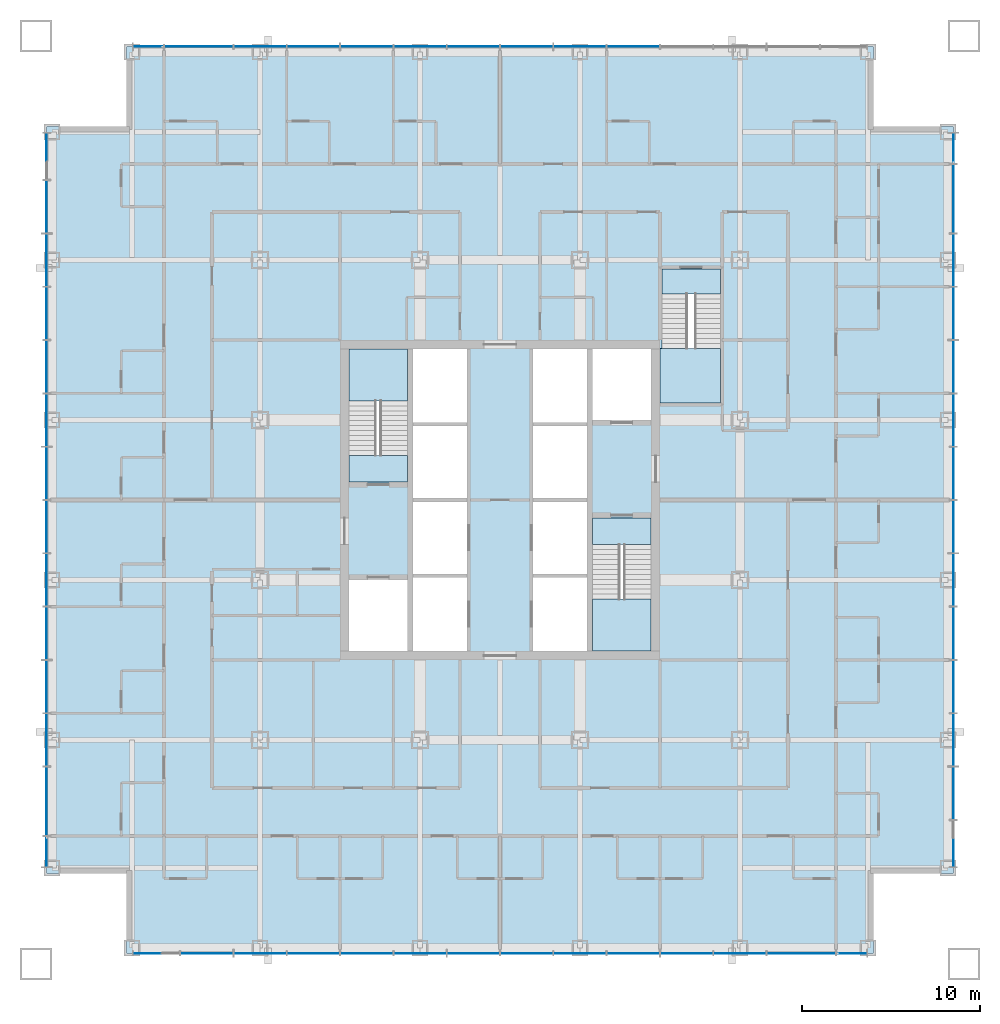
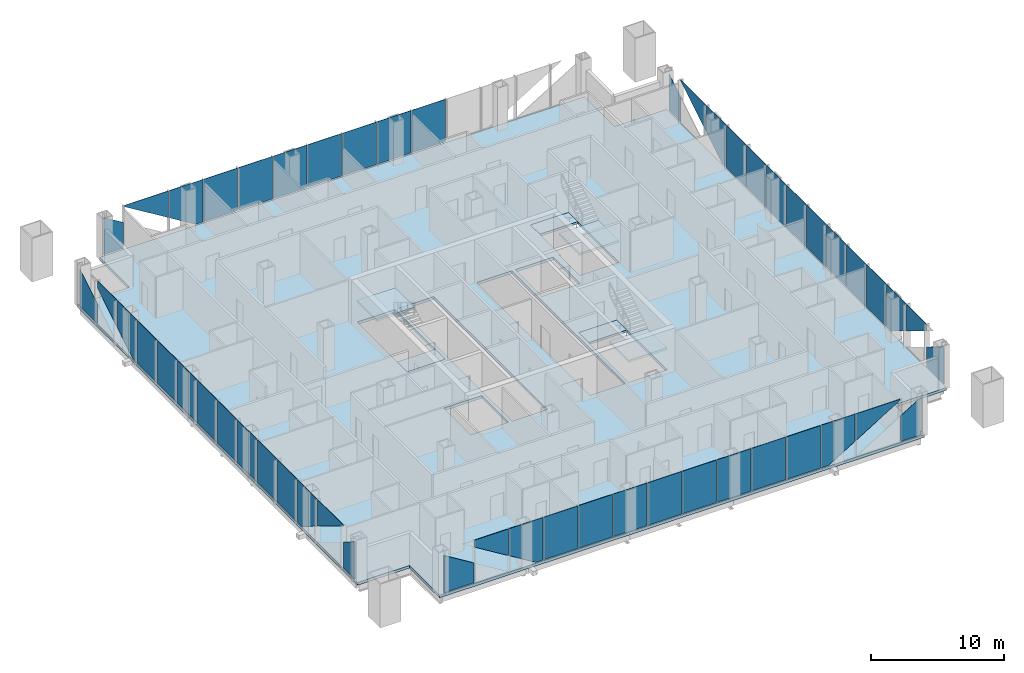
# One storey, part 6 of 17: 52 plates, 7 slabs, 7 elements without a shape of their own.
"""IFC4 building model written with IfcOpenShell, lengths in metres."""

from ifc_helpers import new_model, si_unit, direction, frame, origin, origin_2d, place, context, subcontext, project, spatial, polyline, rectangle, outline, extrude, material, layer, layer_set, type_object, element, aggregate, save


model = new_model("IFC4")

# Units and contexts
model_context = context("Model", 3, precision=1e-05, world=origin(), true_north=direction((0.0, 1.0)))
body_context = subcontext(model_context, "Body", "Model", "MODEL_VIEW")
ifc_project = project(units=[si_unit("LENGTHUNIT", "METRE"), si_unit("AREAUNIT", "SQUARE_METRE"), si_unit("VOLUMEUNIT", "CUBIC_METRE"), si_unit("PLANEANGLEUNIT", "RADIAN"), si_unit("MASSUNIT", "GRAM", prefix="KILO")], contexts=[model_context])

# Site, building, storey
site_placement = place(None, origin())
site = spatial("IfcSite", under=ifc_project, at=site_placement, CompositionType="ELEMENT")
building_placement = place(site_placement, origin())
building = spatial("IfcBuilding", under=site, at=building_placement, Name="Malebo Sky Hospital", CompositionType="ELEMENT")
storey_placement = place(building_placement, frame((0.0, 0.0, 55.0)))
storey = spatial("IfcBuildingStorey", under=building, at=storey_placement, Name="L12", CompositionType="ELEMENT", Elevation=55.0)

# Slab
ifc_material_1 = material(Name="Concrete C40/50", Category="concrete")
ifc_layer_1 = layer(ifc_material_1, 0.25)
ifc_layer_set_1 = layer_set([ifc_layer_1], Name="COMPOSITE FLOOR SLAB 250")
slab_type_1 = type_object("IfcSlabType", Name="COMPOSITE FLOOR SLAB 250", PredefinedType="FLOOR", material=ifc_layer_set_1)
slab_1_placement = place(storey_placement, frame((0.0, 0.0, -0.25)))
element("IfcSlab", 1, at=slab_1_placement, inside=storey, type_object=slab_type_1, Name="Floor slab L12", PredefinedType="FLOOR", context=body_context, shape_type="SweptSolid", body=[
    extrude(outline(polyline([(39.0, 87.5), (39.0, 83.0), (34.5, 83.0), (34.5, 41.0), (39.0, 41.0), (39.0, 36.5), (81.0, 36.5), (81.0, 41.0), (85.5, 41.0), (85.5, 83.0), (81.0, 83.0), (81.0, 87.5), (39.0, 87.5)]), holes=[polyline([(55.10009765625, 70.5), (58.14990234375, 70.5), (58.14990234375, 53.5), (55.10009765625, 53.5), (55.10009765625, 70.5)]), polyline([(64.89990234375, 70.5), (64.89990234375, 53.5), (61.85009765625, 53.5), (61.85009765625, 70.5), (64.89990234375, 70.5)]), polyline([(54.800048828125, 63.0), (51.5, 63.0), (51.5, 70.5), (54.800048828125, 70.5), (54.800048828125, 63.0)]), polyline([(51.5, 53.5), (51.5, 57.5), (54.800048828125, 57.5), (54.800048828125, 53.5), (51.5, 53.5)]), polyline([(65.199951171875, 61.0), (68.5, 61.0), (68.5, 53.5), (65.199951171875, 53.5), (65.199951171875, 61.0)]), polyline([(68.5, 70.5), (68.5, 66.5), (65.199951171875, 66.5), (65.199951171875, 70.5), (68.5, 70.5)]), polyline([(69.0, 67.449951171875), (69.0, 70.52001953125), (69.10009765625, 70.52001953125), (69.10009765625, 75.0), (72.39990234375, 75.0), (72.39990234375, 67.449951171875), (69.10009765625, 67.449951171875), (69.0, 67.449951171875)])]), origin(), (0.0, 0.0, 1.0), 0.25),
])

# Stair, slabs
stair_type_1 = type_object("IfcStairType", Name="HALF-TURN STAIR 1500 R167", PredefinedType="HALF_TURN_STAIR", material=ifc_material_1)
stair_1_placement = place(storey_placement, origin())
stair_1 = element("IfcStair", 2, at=stair_1_placement, inside=storey, type_object=stair_type_1, Name="Stair S1 L12 type ST1", PredefinedType="HALF_TURN_STAIR")
ifc_layer_2 = layer(ifc_material_1, 0.199951171875)
ifc_layer_set_2 = layer_set([ifc_layer_2], Name="STAIR LANDING 200")
slab_type_2 = type_object("IfcSlabType", Name="STAIR LANDING 200", PredefinedType="LANDING", material=ifc_layer_set_2)
slab_2_placement = place(storey_placement, frame((0.0, 0.0, -0.199951171875)))
slab_2 = element("IfcSlab", 3, at=slab_2_placement, type_object=slab_type_2, Name="S1 landing 1", PredefinedType="LANDING", context=body_context, shape_type="SweptSolid", body=[
    extrude(outline(polyline([(51.5, 63.0), (54.800048828125, 63.0), (54.800048828125, 64.5), (51.5, 64.5), (51.5, 63.0)])), origin(), (0.0, 0.0, 1.0), 0.199951171875),
])
slab_3_placement = place(storey_placement, frame((0.0, 0.0, 1.800048828125)))
slab_3 = element("IfcSlab", 4, at=slab_3_placement, type_object=slab_type_2, Name="S1 landing 2", PredefinedType="LANDING", context=body_context, shape_type="SweptSolid", body=[
    extrude(outline(polyline([(51.5, 67.580078125), (54.800048828125, 67.580078125), (54.800048828125, 70.5), (51.5, 70.5), (51.5, 67.580078125)])), origin(), (0.0, 0.0, 1.0), 0.199951171875),
])
aggregate(stair_1, [slab_2, slab_3])

stair_2_placement = place(storey_placement, origin())
stair_2 = element("IfcStair", 5, at=stair_2_placement, inside=storey, type_object=stair_type_1, Name="Stair S2 L12 type ST1", PredefinedType="HALF_TURN_STAIR")
slab_4_placement = place(storey_placement, frame((0.0, 0.0, -0.199951171875)))
slab_4 = element("IfcSlab", 6, at=slab_4_placement, type_object=slab_type_2, Name="S2 landing 1", PredefinedType="LANDING", context=body_context, shape_type="SweptSolid", body=[
    extrude(outline(polyline([(65.199951171875, 59.5), (68.5, 59.5), (68.5, 61.0), (65.199951171875, 61.0), (65.199951171875, 59.5)])), origin(), (0.0, 0.0, 1.0), 0.199951171875),
])
slab_5_placement = place(storey_placement, frame((0.0, 0.0, 1.800048828125)))
slab_5 = element("IfcSlab", 7, at=slab_5_placement, type_object=slab_type_2, Name="S2 landing 2", PredefinedType="LANDING", context=body_context, shape_type="SweptSolid", body=[
    extrude(outline(polyline([(65.199951171875, 53.5), (68.5, 53.5), (68.5, 56.419921875), (65.199951171875, 56.419921875), (65.199951171875, 53.5)])), origin(), (0.0, 0.0, 1.0), 0.199951171875),
])
aggregate(stair_2, [slab_4, slab_5])

stair_type_2 = type_object("IfcStairType", Name="HALF-TURN STAIR 1400 R167", PredefinedType="HALF_TURN_STAIR", material=ifc_material_1)
stair_3_placement = place(storey_placement, origin())
stair_3 = element("IfcStair", 8, at=stair_3_placement, inside=storey, type_object=stair_type_2, Name="Stair S3 L12 type ST1B", PredefinedType="HALF_TURN_STAIR")
slab_6_placement = place(storey_placement, frame((0.0, 0.0, -0.199951171875)))
slab_6 = element("IfcSlab", 9, at=slab_6_placement, type_object=slab_type_2, Name="S3 landing 1", PredefinedType="LANDING", context=body_context, shape_type="SweptSolid", body=[
    extrude(outline(polyline([(69.10009765625, 73.60009765625), (72.39990234375, 73.60009765625), (72.39990234375, 75.0), (69.10009765625, 75.0), (69.10009765625, 73.60009765625)])), origin(), (0.0, 0.0, 1.0), 0.199951171875),
])
slab_7_placement = place(storey_placement, frame((0.0, 0.0, 1.800048828125)))
slab_7 = element("IfcSlab", 10, at=slab_7_placement, type_object=slab_type_2, Name="S3 landing 2", PredefinedType="LANDING", context=body_context, shape_type="SweptSolid", body=[
    extrude(outline(polyline([(69.0, 67.449951171875), (72.39990234375, 67.449951171875), (72.39990234375, 70.52001953125), (69.0, 70.52001953125), (69.0, 67.449951171875)])), origin(), (0.0, 0.0, 1.0), 0.199951171875),
])
aggregate(stair_3, [slab_6, slab_7])

# Curtain wall, plates
ifc_material_2 = material(Name="Anodised aluminium, natural silver", Category="aluminium")
ifc_layer_3 = layer(ifc_material_2, 0.25)
ifc_layer_set_3 = layer_set([ifc_layer_3], Name="WARD CURTAIN WALL NORTH AND SOUTH")
curtain_wall_type_1 = type_object("IfcCurtainWallType", Name="WARD CURTAIN WALL NORTH AND SOUTH", PredefinedType="NOTDEFINED", material=ifc_layer_set_3)
curtain_wall_1_placement = place(storey_placement, origin())
curtain_wall_1 = element("IfcCurtainWall", 11, at=curtain_wall_1_placement, inside=storey, type_object=curtain_wall_type_1, Name="NS curtain wall N", PredefinedType="NOTDEFINED")
ifc_material_3 = material(Name="Clear low-iron double glazing", Category="glass")
ifc_layer_4 = layer(ifc_material_3, 0.031982421875)
ifc_layer_set_4 = layer_set([ifc_layer_4], Name="VISION PANEL CLEAR 32")
plate_type = type_object("IfcPlateType", Name="VISION PANEL CLEAR 32", PredefinedType="CURTAIN_PANEL", material=ifc_layer_set_4)
plate_1_placement = place(storey_placement, frame((40.21875, 87.5, 0.099853515625), z_axis=(0.0, 0.0, 1.0), x_axis=(1.0, 0.0, 0.0)))
plate_1 = element("IfcPlate", 12, at=plate_1_placement, type_object=plate_type, Name="Panel 1", PredefinedType="CURTAIN_PANEL", context=body_context, shape_type="SweptSolid", body=[
    extrude(outline(polyline([(-0.84375, 0.0), (0.84375, 0.0), (0.84375, 2.37548828125), (-0.84375, 3.41015625), (-0.84375, 0.0)])), frame((0.0, 0.01611328125, 0.0), z_axis=(0.0, -1.0, 0.0), x_axis=(1.0, 0.0, 0.0)), (0.0, 0.0, 1.0), 0.031982421875),
])
plate_2_placement = place(storey_placement, frame((43.050048828125, 87.5, 1.552001953125), z_axis=(0.0, 0.0, 1.0), x_axis=(1.0, 0.0, 0.0)))
plate_2 = element("IfcPlate", 13, at=plate_2_placement, type_object=plate_type, Name="Panel 2", PredefinedType="CURTAIN_PANEL", context=body_context, shape_type="SweptSolid", body=[
    extrude(outline(polyline([(1.91259765625, 0.0), (1.91259765625, 2.43798828125), (-1.91259765625, 2.43798828125), (-1.91259765625, 2.3447265625), (1.91259765625, 0.0)])), frame((0.0, 0.01611328125, 0.0), z_axis=(0.0, -1.0, 0.0), x_axis=(1.0, 0.0, 0.0)), (0.0, 0.0, 1.0), 0.031982421875),
])
plate_3_placement = place(storey_placement, frame((46.5, 87.5, 0.10009765625), z_axis=(0.0, 0.0, 1.0), x_axis=(1.0, 0.0, 0.0)))
plate_3 = element("IfcPlate", 14, at=plate_3_placement, type_object=plate_type, Name="Panel 3", PredefinedType="CURTAIN_PANEL", context=body_context, shape_type="SweptSolid", body=[
    extrude(outline(polyline([(0.831298828125, 0.0), (1.46240234375, 0.0), (1.46240234375, 3.889892578125), (-1.46240234375, 3.889892578125), (-1.46240234375, 1.40625), (0.831298828125, 0.0)])), frame((0.0, 0.01611328125, 0.0), z_axis=(0.0, -1.0, 0.0), x_axis=(1.0, 0.0, 0.0)), (0.0, 0.0, 1.0), 0.031982421875),
])
plate_4_placement = place(storey_placement, frame((49.5, 87.5, 0.10009765625), z_axis=(0.0, 0.0, 1.0), x_axis=(1.0, 0.0, 0.0)))
plate_4 = element("IfcPlate", 15, at=plate_4_placement, type_object=plate_type, Name="Panel 4", PredefinedType="CURTAIN_PANEL", context=body_context, shape_type="SweptSolid", body=[
    extrude(rectangle(XDim=2.925048828125, YDim=0.031982421875, at=origin_2d()), origin(), (0.0, 0.0, 1.0), 3.889892578125),
])
plate_5_placement = place(storey_placement, frame((52.5, 87.5, 0.10009765625), z_axis=(0.0, 0.0, 1.0), x_axis=(1.0, 0.0, 0.0)))
plate_5 = element("IfcPlate", 16, at=plate_5_placement, type_object=plate_type, Name="Panel 5", PredefinedType="CURTAIN_PANEL", context=body_context, shape_type="SweptSolid", body=[
    extrude(rectangle(XDim=2.925048828125, YDim=0.031982421875, at=origin_2d()), origin(), (0.0, 0.0, 1.0), 3.889892578125),
])
plate_6_placement = place(storey_placement, frame((55.5, 87.5, 0.10009765625), z_axis=(0.0, 0.0, 1.0), x_axis=(1.0, 0.0, 0.0)))
plate_6 = element("IfcPlate", 17, at=plate_6_placement, type_object=plate_type, Name="Panel 6", PredefinedType="CURTAIN_PANEL", context=body_context, shape_type="SweptSolid", body=[
    extrude(rectangle(XDim=2.925048828125, YDim=0.031982421875, at=origin_2d()), origin(), (0.0, 0.0, 1.0), 3.889892578125),
])
plate_7_placement = place(storey_placement, frame((58.5, 87.5, 0.10009765625), z_axis=(0.0, 0.0, 1.0), x_axis=(1.0, 0.0, 0.0)))
plate_7 = element("IfcPlate", 18, at=plate_7_placement, type_object=plate_type, Name="Panel 7", PredefinedType="CURTAIN_PANEL", context=body_context, shape_type="SweptSolid", body=[
    extrude(rectangle(XDim=2.925048828125, YDim=0.031982421875, at=origin_2d()), origin(), (0.0, 0.0, 1.0), 3.889892578125),
])
plate_8_placement = place(storey_placement, frame((61.5, 87.5, 0.10009765625), z_axis=(0.0, 0.0, 1.0), x_axis=(1.0, 0.0, 0.0)))
plate_8 = element("IfcPlate", 19, at=plate_8_placement, type_object=plate_type, Name="Panel 8", PredefinedType="CURTAIN_PANEL", context=body_context, shape_type="SweptSolid", body=[
    extrude(rectangle(XDim=2.925048828125, YDim=0.031982421875, at=origin_2d()), origin(), (0.0, 0.0, 1.0), 3.889892578125),
])
plate_9_placement = place(storey_placement, frame((64.5, 87.5, 0.10009765625), z_axis=(0.0, 0.0, 1.0), x_axis=(1.0, 0.0, 0.0)))
plate_9 = element("IfcPlate", 20, at=plate_9_placement, type_object=plate_type, Name="Panel 9", PredefinedType="CURTAIN_PANEL", context=body_context, shape_type="SweptSolid", body=[
    extrude(rectangle(XDim=2.925048828125, YDim=0.031982421875, at=origin_2d()), origin(), (0.0, 0.0, 1.0), 3.889892578125),
])
plate_10_placement = place(storey_placement, frame((67.5, 87.5, 0.10009765625), z_axis=(0.0, 0.0, 1.0), x_axis=(1.0, 0.0, 0.0)))
plate_10 = element("IfcPlate", 21, at=plate_10_placement, type_object=plate_type, Name="Panel 10", PredefinedType="CURTAIN_PANEL", context=body_context, shape_type="SweptSolid", body=[
    extrude(rectangle(XDim=2.925048828125, YDim=0.031982421875, at=origin_2d()), origin(), (0.0, 0.0, 1.0), 3.889892578125),
])
aggregate(curtain_wall_1, [plate_1, plate_2, plate_3, plate_4, plate_5, plate_6, plate_7, plate_8, plate_9, plate_10])

ifc_layer_5 = layer(ifc_material_2, 0.25)
ifc_layer_set_5 = layer_set([ifc_layer_5], Name="WARD CURTAIN WALL EAST AND WEST")
curtain_wall_type_2 = type_object("IfcCurtainWallType", Name="WARD CURTAIN WALL EAST AND WEST", PredefinedType="NOTDEFINED", material=ifc_layer_set_5)
curtain_wall_2_placement = place(storey_placement, origin())
curtain_wall_2 = element("IfcCurtainWall", 22, at=curtain_wall_2_placement, inside=storey, type_object=curtain_wall_type_2, Name="EW curtain wall W", PredefinedType="NOTDEFINED")
plate_11_placement = place(storey_placement, frame((34.5, 42.21875, 0.099853515625), z_axis=(0.0, 0.0, 1.0), x_axis=(0.0, 1.0, 0.0)))
plate_11 = element("IfcPlate", 23, at=plate_11_placement, type_object=plate_type, Name="Panel 1", PredefinedType="CURTAIN_PANEL", context=body_context, shape_type="SweptSolid", body=[
    extrude(outline(polyline([(-0.84375, 0.0), (0.84375, 0.0), (0.84375, 2.37548828125), (-0.84375, 3.41015625), (-0.84375, 0.0)])), frame((0.0, 0.01611328125, 0.0), z_axis=(0.0, -1.0, 0.0), x_axis=(1.0, 0.0, 0.0)), (0.0, 0.0, 1.0), 0.031982421875),
])
plate_12_placement = place(storey_placement, frame((34.5, 45.050048828125, 1.552001953125), z_axis=(0.0, 0.0, 1.0), x_axis=(0.0, 1.0, 0.0)))
plate_12 = element("IfcPlate", 24, at=plate_12_placement, type_object=plate_type, Name="Panel 2", PredefinedType="CURTAIN_PANEL", context=body_context, shape_type="SweptSolid", body=[
    extrude(outline(polyline([(1.91259765625, 0.0), (1.91259765625, 2.43798828125), (-1.91259765625, 2.43798828125), (-1.91259765625, 2.3447265625), (1.91259765625, 0.0)])), frame((0.0, 0.01611328125, 0.0), z_axis=(0.0, -1.0, 0.0), x_axis=(1.0, 0.0, 0.0)), (0.0, 0.0, 1.0), 0.031982421875),
])
plate_13_placement = place(storey_placement, frame((34.5, 48.5, 0.10009765625), z_axis=(0.0, 0.0, 1.0), x_axis=(0.0, 1.0, 0.0)))
plate_13 = element("IfcPlate", 25, at=plate_13_placement, type_object=plate_type, Name="Panel 3", PredefinedType="CURTAIN_PANEL", context=body_context, shape_type="SweptSolid", body=[
    extrude(outline(polyline([(0.831298828125, 0.0), (1.46240234375, 0.0), (1.46240234375, 3.889892578125), (-1.46240234375, 3.889892578125), (-1.46240234375, 1.40625), (0.831298828125, 0.0)])), frame((0.0, 0.01611328125, 0.0), z_axis=(0.0, -1.0, 0.0), x_axis=(1.0, 0.0, 0.0)), (0.0, 0.0, 1.0), 0.031982421875),
])
plate_14_placement = place(storey_placement, frame((34.5, 51.5, 0.10009765625), z_axis=(0.0, 0.0, 1.0), x_axis=(0.0, 1.0, 0.0)))
plate_14 = element("IfcPlate", 26, at=plate_14_placement, type_object=plate_type, Name="Panel 4", PredefinedType="CURTAIN_PANEL", context=body_context, shape_type="SweptSolid", body=[
    extrude(rectangle(XDim=2.925048828125, YDim=0.031982421875, at=origin_2d()), origin(), (0.0, 0.0, 1.0), 3.889892578125),
])
plate_15_placement = place(storey_placement, frame((34.5, 54.5, 0.10009765625), z_axis=(0.0, 0.0, 1.0), x_axis=(0.0, 1.0, 0.0)))
plate_15 = element("IfcPlate", 27, at=plate_15_placement, type_object=plate_type, Name="Panel 5", PredefinedType="CURTAIN_PANEL", context=body_context, shape_type="SweptSolid", body=[
    extrude(rectangle(XDim=2.925048828125, YDim=0.031982421875, at=origin_2d()), origin(), (0.0, 0.0, 1.0), 3.889892578125),
])
plate_16_placement = place(storey_placement, frame((34.5, 57.5, 0.10009765625), z_axis=(0.0, 0.0, 1.0), x_axis=(0.0, 1.0, 0.0)))
plate_16 = element("IfcPlate", 28, at=plate_16_placement, type_object=plate_type, Name="Panel 6", PredefinedType="CURTAIN_PANEL", context=body_context, shape_type="SweptSolid", body=[
    extrude(rectangle(XDim=2.925048828125, YDim=0.031982421875, at=origin_2d()), origin(), (0.0, 0.0, 1.0), 3.889892578125),
])
plate_17_placement = place(storey_placement, frame((34.5, 60.5, 0.10009765625), z_axis=(0.0, 0.0, 1.0), x_axis=(0.0, 1.0, 0.0)))
plate_17 = element("IfcPlate", 29, at=plate_17_placement, type_object=plate_type, Name="Panel 7", PredefinedType="CURTAIN_PANEL", context=body_context, shape_type="SweptSolid", body=[
    extrude(rectangle(XDim=2.925048828125, YDim=0.031982421875, at=origin_2d()), origin(), (0.0, 0.0, 1.0), 3.889892578125),
])
plate_18_placement = place(storey_placement, frame((34.5, 63.5, 0.10009765625), z_axis=(0.0, 0.0, 1.0), x_axis=(0.0, 1.0, 0.0)))
plate_18 = element("IfcPlate", 30, at=plate_18_placement, type_object=plate_type, Name="Panel 8", PredefinedType="CURTAIN_PANEL", context=body_context, shape_type="SweptSolid", body=[
    extrude(rectangle(XDim=2.925048828125, YDim=0.031982421875, at=origin_2d()), origin(), (0.0, 0.0, 1.0), 3.889892578125),
])
plate_19_placement = place(storey_placement, frame((34.5, 66.5, 0.10009765625), z_axis=(0.0, 0.0, 1.0), x_axis=(0.0, 1.0, 0.0)))
plate_19 = element("IfcPlate", 31, at=plate_19_placement, type_object=plate_type, Name="Panel 9", PredefinedType="CURTAIN_PANEL", context=body_context, shape_type="SweptSolid", body=[
    extrude(rectangle(XDim=2.925048828125, YDim=0.031982421875, at=origin_2d()), origin(), (0.0, 0.0, 1.0), 3.889892578125),
])
plate_20_placement = place(storey_placement, frame((34.5, 69.5, 0.10009765625), z_axis=(0.0, 0.0, 1.0), x_axis=(0.0, 1.0, 0.0)))
plate_20 = element("IfcPlate", 32, at=plate_20_placement, type_object=plate_type, Name="Panel 10", PredefinedType="CURTAIN_PANEL", context=body_context, shape_type="SweptSolid", body=[
    extrude(rectangle(XDim=2.925048828125, YDim=0.031982421875, at=origin_2d()), origin(), (0.0, 0.0, 1.0), 3.889892578125),
])
plate_21_placement = place(storey_placement, frame((34.5, 72.5, 0.10009765625), z_axis=(0.0, 0.0, 1.0), x_axis=(0.0, 1.0, 0.0)))
plate_21 = element("IfcPlate", 33, at=plate_21_placement, type_object=plate_type, Name="Panel 11", PredefinedType="CURTAIN_PANEL", context=body_context, shape_type="SweptSolid", body=[
    extrude(rectangle(XDim=2.925048828125, YDim=0.031982421875, at=origin_2d()), origin(), (0.0, 0.0, 1.0), 3.889892578125),
])
plate_22_placement = place(storey_placement, frame((34.5, 75.5, 0.10009765625), z_axis=(0.0, 0.0, 1.0), x_axis=(0.0, 1.0, 0.0)))
plate_22 = element("IfcPlate", 34, at=plate_22_placement, type_object=plate_type, Name="Panel 12", PredefinedType="CURTAIN_PANEL", context=body_context, shape_type="SweptSolid", body=[
    extrude(outline(polyline([(-1.46240234375, 0.0), (-0.831298828125, 0.0), (1.46240234375, 1.40625), (1.46240234375, 3.889892578125), (-1.46240234375, 3.889892578125), (-1.46240234375, 0.0)])), frame((0.0, 0.01611328125, 0.0), z_axis=(0.0, -1.0, 0.0), x_axis=(1.0, 0.0, 0.0)), (0.0, 0.0, 1.0), 0.031982421875),
])
plate_23_placement = place(storey_placement, frame((34.5, 78.5, 1.552001953125), z_axis=(0.0, 0.0, 1.0), x_axis=(0.0, 1.0, 0.0)))
plate_23 = element("IfcPlate", 35, at=plate_23_placement, type_object=plate_type, Name="Panel 13", PredefinedType="CURTAIN_PANEL", context=body_context, shape_type="SweptSolid", body=[
    extrude(outline(polyline([(-1.46240234375, 0.0), (1.46240234375, 1.793212890625), (1.46240234375, 2.43798828125), (-1.46240234375, 2.43798828125), (-1.46240234375, 0.0)])), frame((0.0, 0.01611328125, 0.0), z_axis=(0.0, -1.0, 0.0), x_axis=(1.0, 0.0, 0.0)), (0.0, 0.0, 1.0), 0.031982421875),
])
plate_24_placement = place(storey_placement, frame((34.5, 81.331298828125, 0.099853515625), z_axis=(0.0, 0.0, 1.0), x_axis=(0.0, 1.0, 0.0)))
plate_24 = element("IfcPlate", 36, at=plate_24_placement, type_object=plate_type, Name="Panel 14", PredefinedType="CURTAIN_PANEL", context=body_context, shape_type="SweptSolid", body=[
    extrude(outline(polyline([(-1.293701171875, 0.0), (1.293701171875, 0.0), (1.293701171875, 3.41015625), (-1.293701171875, 1.823974609375), (-1.293701171875, 0.0)])), frame((0.0, 0.01611328125, 0.0), z_axis=(0.0, -1.0, 0.0), x_axis=(1.0, 0.0, 0.0)), (0.0, 0.0, 1.0), 0.031982421875),
])
aggregate(curtain_wall_2, [plate_11, plate_12, plate_13, plate_14, plate_15, plate_16, plate_17, plate_18, plate_19, plate_20, plate_21, plate_22, plate_23, plate_24])

curtain_wall_3_placement = place(storey_placement, origin())
curtain_wall_3 = element("IfcCurtainWall", 37, at=curtain_wall_3_placement, inside=storey, type_object=curtain_wall_type_1, Name="NS curtain wall S", PredefinedType="NOTDEFINED")
plate_25_placement = place(storey_placement, frame((79.78125, 36.5, 0.099853515625), z_axis=(0.0, 0.0, 1.0), x_axis=(-1.0, 0.0, 0.0)))
plate_25 = element("IfcPlate", 38, at=plate_25_placement, type_object=plate_type, Name="Panel 1", PredefinedType="CURTAIN_PANEL", context=body_context, shape_type="SweptSolid", body=[
    extrude(outline(polyline([(-0.84375, 0.0), (0.84375, 0.0), (0.84375, 2.37548828125), (-0.84375, 3.41015625), (-0.84375, 0.0)])), frame((0.0, 0.01611328125, 0.0), z_axis=(0.0, -1.0, 0.0), x_axis=(1.0, 0.0, 0.0)), (0.0, 0.0, 1.0), 0.031982421875),
])
plate_26_placement = place(storey_placement, frame((76.949951171875, 36.5, 1.552001953125), z_axis=(0.0, 0.0, 1.0), x_axis=(-1.0, 0.0, 0.0)))
plate_26 = element("IfcPlate", 39, at=plate_26_placement, type_object=plate_type, Name="Panel 2", PredefinedType="CURTAIN_PANEL", context=body_context, shape_type="SweptSolid", body=[
    extrude(outline(polyline([(1.91259765625, 0.0), (1.91259765625, 2.43798828125), (-1.91259765625, 2.43798828125), (-1.91259765625, 2.3447265625), (1.91259765625, 0.0)])), frame((0.0, 0.01611328125, 0.0), z_axis=(0.0, -1.0, 0.0), x_axis=(1.0, 0.0, 0.0)), (0.0, 0.0, 1.0), 0.031982421875),
])
plate_27_placement = place(storey_placement, frame((73.5, 36.5, 0.10009765625), z_axis=(0.0, 0.0, 1.0), x_axis=(-1.0, 0.0, 0.0)))
plate_27 = element("IfcPlate", 40, at=plate_27_placement, type_object=plate_type, Name="Panel 3", PredefinedType="CURTAIN_PANEL", context=body_context, shape_type="SweptSolid", body=[
    extrude(outline(polyline([(0.831298828125, 0.0), (1.46240234375, 0.0), (1.46240234375, 3.889892578125), (-1.46240234375, 3.889892578125), (-1.46240234375, 1.40625), (0.831298828125, 0.0)])), frame((0.0, 0.01611328125, 0.0), z_axis=(0.0, -1.0, 0.0), x_axis=(1.0, 0.0, 0.0)), (0.0, 0.0, 1.0), 0.031982421875),
])
plate_28_placement = place(storey_placement, frame((70.5, 36.5, 0.10009765625), z_axis=(0.0, 0.0, 1.0), x_axis=(-1.0, 0.0, 0.0)))
plate_28 = element("IfcPlate", 41, at=plate_28_placement, type_object=plate_type, Name="Panel 4", PredefinedType="CURTAIN_PANEL", context=body_context, shape_type="SweptSolid", body=[
    extrude(rectangle(XDim=2.925048828125, YDim=0.031982421875, at=origin_2d()), origin(), (0.0, 0.0, 1.0), 3.889892578125),
])
plate_29_placement = place(storey_placement, frame((67.5, 36.5, 0.10009765625), z_axis=(0.0, 0.0, 1.0), x_axis=(-1.0, 0.0, 0.0)))
plate_29 = element("IfcPlate", 42, at=plate_29_placement, type_object=plate_type, Name="Panel 5", PredefinedType="CURTAIN_PANEL", context=body_context, shape_type="SweptSolid", body=[
    extrude(rectangle(XDim=2.925048828125, YDim=0.031982421875, at=origin_2d()), origin(), (0.0, 0.0, 1.0), 3.889892578125),
])
plate_30_placement = place(storey_placement, frame((64.5, 36.5, 0.10009765625), z_axis=(0.0, 0.0, 1.0), x_axis=(-1.0, 0.0, 0.0)))
plate_30 = element("IfcPlate", 43, at=plate_30_placement, type_object=plate_type, Name="Panel 6", PredefinedType="CURTAIN_PANEL", context=body_context, shape_type="SweptSolid", body=[
    extrude(rectangle(XDim=2.925048828125, YDim=0.031982421875, at=origin_2d()), origin(), (0.0, 0.0, 1.0), 3.889892578125),
])
plate_31_placement = place(storey_placement, frame((61.5, 36.5, 0.10009765625), z_axis=(0.0, 0.0, 1.0), x_axis=(-1.0, 0.0, 0.0)))
plate_31 = element("IfcPlate", 44, at=plate_31_placement, type_object=plate_type, Name="Panel 7", PredefinedType="CURTAIN_PANEL", context=body_context, shape_type="SweptSolid", body=[
    extrude(rectangle(XDim=2.925048828125, YDim=0.031982421875, at=origin_2d()), origin(), (0.0, 0.0, 1.0), 3.889892578125),
])
plate_32_placement = place(storey_placement, frame((58.5, 36.5, 0.10009765625), z_axis=(0.0, 0.0, 1.0), x_axis=(-1.0, 0.0, 0.0)))
plate_32 = element("IfcPlate", 45, at=plate_32_placement, type_object=plate_type, Name="Panel 8", PredefinedType="CURTAIN_PANEL", context=body_context, shape_type="SweptSolid", body=[
    extrude(rectangle(XDim=2.925048828125, YDim=0.031982421875, at=origin_2d()), origin(), (0.0, 0.0, 1.0), 3.889892578125),
])
plate_33_placement = place(storey_placement, frame((55.5, 36.5, 0.10009765625), z_axis=(0.0, 0.0, 1.0), x_axis=(-1.0, 0.0, 0.0)))
plate_33 = element("IfcPlate", 46, at=plate_33_placement, type_object=plate_type, Name="Panel 9", PredefinedType="CURTAIN_PANEL", context=body_context, shape_type="SweptSolid", body=[
    extrude(rectangle(XDim=2.925048828125, YDim=0.031982421875, at=origin_2d()), origin(), (0.0, 0.0, 1.0), 3.889892578125),
])
plate_34_placement = place(storey_placement, frame((52.5, 36.5, 0.10009765625), z_axis=(0.0, 0.0, 1.0), x_axis=(-1.0, 0.0, 0.0)))
plate_34 = element("IfcPlate", 47, at=plate_34_placement, type_object=plate_type, Name="Panel 10", PredefinedType="CURTAIN_PANEL", context=body_context, shape_type="SweptSolid", body=[
    extrude(rectangle(XDim=2.925048828125, YDim=0.031982421875, at=origin_2d()), origin(), (0.0, 0.0, 1.0), 3.889892578125),
])
plate_35_placement = place(storey_placement, frame((49.5, 36.5, 0.10009765625), z_axis=(0.0, 0.0, 1.0), x_axis=(-1.0, 0.0, 0.0)))
plate_35 = element("IfcPlate", 48, at=plate_35_placement, type_object=plate_type, Name="Panel 11", PredefinedType="CURTAIN_PANEL", context=body_context, shape_type="SweptSolid", body=[
    extrude(rectangle(XDim=2.925048828125, YDim=0.031982421875, at=origin_2d()), origin(), (0.0, 0.0, 1.0), 3.889892578125),
])
plate_36_placement = place(storey_placement, frame((46.5, 36.5, 0.10009765625), z_axis=(0.0, 0.0, 1.0), x_axis=(-1.0, 0.0, 0.0)))
plate_36 = element("IfcPlate", 49, at=plate_36_placement, type_object=plate_type, Name="Panel 12", PredefinedType="CURTAIN_PANEL", context=body_context, shape_type="SweptSolid", body=[
    extrude(outline(polyline([(-1.46240234375, 0.0), (-0.831298828125, 0.0), (1.46240234375, 1.40625), (1.46240234375, 3.889892578125), (-1.46240234375, 3.889892578125), (-1.46240234375, 0.0)])), frame((0.0, 0.01611328125, 0.0), z_axis=(0.0, -1.0, 0.0), x_axis=(1.0, 0.0, 0.0)), (0.0, 0.0, 1.0), 0.031982421875),
])
plate_37_placement = place(storey_placement, frame((43.5, 36.5, 1.552001953125), z_axis=(0.0, 0.0, 1.0), x_axis=(-1.0, 0.0, 0.0)))
plate_37 = element("IfcPlate", 50, at=plate_37_placement, type_object=plate_type, Name="Panel 13", PredefinedType="CURTAIN_PANEL", context=body_context, shape_type="SweptSolid", body=[
    extrude(outline(polyline([(-1.46240234375, 0.0), (1.46240234375, 1.793212890625), (1.46240234375, 2.43798828125), (-1.46240234375, 2.43798828125), (-1.46240234375, 0.0)])), frame((0.0, 0.01611328125, 0.0), z_axis=(0.0, -1.0, 0.0), x_axis=(1.0, 0.0, 0.0)), (0.0, 0.0, 1.0), 0.031982421875),
])
plate_38_placement = place(storey_placement, frame((40.668701171875, 36.5, 0.099853515625), z_axis=(0.0, 0.0, 1.0), x_axis=(-1.0, 0.0, 0.0)))
plate_38 = element("IfcPlate", 51, at=plate_38_placement, type_object=plate_type, Name="Panel 14", PredefinedType="CURTAIN_PANEL", context=body_context, shape_type="SweptSolid", body=[
    extrude(outline(polyline([(-1.293701171875, 0.0), (1.293701171875, 0.0), (1.293701171875, 3.41015625), (-1.293701171875, 1.823974609375), (-1.293701171875, 0.0)])), frame((0.0, 0.01611328125, 0.0), z_axis=(0.0, -1.0, 0.0), x_axis=(1.0, 0.0, 0.0)), (0.0, 0.0, 1.0), 0.031982421875),
])
aggregate(curtain_wall_3, [plate_25, plate_26, plate_27, plate_28, plate_29, plate_30, plate_31, plate_32, plate_33, plate_34, plate_35, plate_36, plate_37, plate_38])

curtain_wall_4_placement = place(storey_placement, origin())
curtain_wall_4 = element("IfcCurtainWall", 52, at=curtain_wall_4_placement, inside=storey, type_object=curtain_wall_type_2, Name="EW curtain wall E", PredefinedType="NOTDEFINED")
plate_39_placement = place(storey_placement, frame((85.5, 81.78125, 0.099853515625), z_axis=(0.0, 0.0, 1.0), x_axis=(0.0, -1.0, 0.0)))
plate_39 = element("IfcPlate", 53, at=plate_39_placement, type_object=plate_type, Name="Panel 1", PredefinedType="CURTAIN_PANEL", context=body_context, shape_type="SweptSolid", body=[
    extrude(outline(polyline([(-0.84375, 0.0), (0.84375, 0.0), (0.84375, 2.37548828125), (-0.84375, 3.41015625), (-0.84375, 0.0)])), frame((0.0, 0.01611328125, 0.0), z_axis=(0.0, -1.0, 0.0), x_axis=(1.0, 0.0, 0.0)), (0.0, 0.0, 1.0), 0.031982421875),
])
plate_40_placement = place(storey_placement, frame((85.5, 78.949951171875, 1.552001953125), z_axis=(0.0, 0.0, 1.0), x_axis=(0.0, -1.0, 0.0)))
plate_40 = element("IfcPlate", 54, at=plate_40_placement, type_object=plate_type, Name="Panel 2", PredefinedType="CURTAIN_PANEL", context=body_context, shape_type="SweptSolid", body=[
    extrude(outline(polyline([(1.91259765625, 0.0), (1.91259765625, 2.43798828125), (-1.91259765625, 2.43798828125), (-1.91259765625, 2.3447265625), (1.91259765625, 0.0)])), frame((0.0, 0.01611328125, 0.0), z_axis=(0.0, -1.0, 0.0), x_axis=(1.0, 0.0, 0.0)), (0.0, 0.0, 1.0), 0.031982421875),
])
plate_41_placement = place(storey_placement, frame((85.5, 75.5, 0.10009765625), z_axis=(0.0, 0.0, 1.0), x_axis=(0.0, -1.0, 0.0)))
plate_41 = element("IfcPlate", 55, at=plate_41_placement, type_object=plate_type, Name="Panel 3", PredefinedType="CURTAIN_PANEL", context=body_context, shape_type="SweptSolid", body=[
    extrude(outline(polyline([(0.831298828125, 0.0), (1.46240234375, 0.0), (1.46240234375, 3.889892578125), (-1.46240234375, 3.889892578125), (-1.46240234375, 1.40625), (0.831298828125, 0.0)])), frame((0.0, 0.01611328125, 0.0), z_axis=(0.0, -1.0, 0.0), x_axis=(1.0, 0.0, 0.0)), (0.0, 0.0, 1.0), 0.031982421875),
])
plate_42_placement = place(storey_placement, frame((85.5, 72.5, 0.10009765625), z_axis=(0.0, 0.0, 1.0), x_axis=(0.0, -1.0, 0.0)))
plate_42 = element("IfcPlate", 56, at=plate_42_placement, type_object=plate_type, Name="Panel 4", PredefinedType="CURTAIN_PANEL", context=body_context, shape_type="SweptSolid", body=[
    extrude(rectangle(XDim=2.925048828125, YDim=0.031982421875, at=origin_2d()), origin(), (0.0, 0.0, 1.0), 3.889892578125),
])
plate_43_placement = place(storey_placement, frame((85.5, 69.5, 0.10009765625), z_axis=(0.0, 0.0, 1.0), x_axis=(0.0, -1.0, 0.0)))
plate_43 = element("IfcPlate", 57, at=plate_43_placement, type_object=plate_type, Name="Panel 5", PredefinedType="CURTAIN_PANEL", context=body_context, shape_type="SweptSolid", body=[
    extrude(rectangle(XDim=2.925048828125, YDim=0.031982421875, at=origin_2d()), origin(), (0.0, 0.0, 1.0), 3.889892578125),
])
plate_44_placement = place(storey_placement, frame((85.5, 66.5, 0.10009765625), z_axis=(0.0, 0.0, 1.0), x_axis=(0.0, -1.0, 0.0)))
plate_44 = element("IfcPlate", 58, at=plate_44_placement, type_object=plate_type, Name="Panel 6", PredefinedType="CURTAIN_PANEL", context=body_context, shape_type="SweptSolid", body=[
    extrude(rectangle(XDim=2.925048828125, YDim=0.031982421875, at=origin_2d()), origin(), (0.0, 0.0, 1.0), 3.889892578125),
])
plate_45_placement = place(storey_placement, frame((85.5, 63.5, 0.10009765625), z_axis=(0.0, 0.0, 1.0), x_axis=(0.0, -1.0, 0.0)))
plate_45 = element("IfcPlate", 59, at=plate_45_placement, type_object=plate_type, Name="Panel 7", PredefinedType="CURTAIN_PANEL", context=body_context, shape_type="SweptSolid", body=[
    extrude(rectangle(XDim=2.925048828125, YDim=0.031982421875, at=origin_2d()), origin(), (0.0, 0.0, 1.0), 3.889892578125),
])
plate_46_placement = place(storey_placement, frame((85.5, 60.5, 0.10009765625), z_axis=(0.0, 0.0, 1.0), x_axis=(0.0, -1.0, 0.0)))
plate_46 = element("IfcPlate", 60, at=plate_46_placement, type_object=plate_type, Name="Panel 8", PredefinedType="CURTAIN_PANEL", context=body_context, shape_type="SweptSolid", body=[
    extrude(rectangle(XDim=2.925048828125, YDim=0.031982421875, at=origin_2d()), origin(), (0.0, 0.0, 1.0), 3.889892578125),
])
plate_47_placement = place(storey_placement, frame((85.5, 57.5, 0.10009765625), z_axis=(0.0, 0.0, 1.0), x_axis=(0.0, -1.0, 0.0)))
plate_47 = element("IfcPlate", 61, at=plate_47_placement, type_object=plate_type, Name="Panel 9", PredefinedType="CURTAIN_PANEL", context=body_context, shape_type="SweptSolid", body=[
    extrude(rectangle(XDim=2.925048828125, YDim=0.031982421875, at=origin_2d()), origin(), (0.0, 0.0, 1.0), 3.889892578125),
])
plate_48_placement = place(storey_placement, frame((85.5, 54.5, 0.10009765625), z_axis=(0.0, 0.0, 1.0), x_axis=(0.0, -1.0, 0.0)))
plate_48 = element("IfcPlate", 62, at=plate_48_placement, type_object=plate_type, Name="Panel 10", PredefinedType="CURTAIN_PANEL", context=body_context, shape_type="SweptSolid", body=[
    extrude(rectangle(XDim=2.925048828125, YDim=0.031982421875, at=origin_2d()), origin(), (0.0, 0.0, 1.0), 3.889892578125),
])
plate_49_placement = place(storey_placement, frame((85.5, 51.5, 0.10009765625), z_axis=(0.0, 0.0, 1.0), x_axis=(0.0, -1.0, 0.0)))
plate_49 = element("IfcPlate", 63, at=plate_49_placement, type_object=plate_type, Name="Panel 11", PredefinedType="CURTAIN_PANEL", context=body_context, shape_type="SweptSolid", body=[
    extrude(rectangle(XDim=2.925048828125, YDim=0.031982421875, at=origin_2d()), origin(), (0.0, 0.0, 1.0), 3.889892578125),
])
plate_50_placement = place(storey_placement, frame((85.5, 48.5, 0.10009765625), z_axis=(0.0, 0.0, 1.0), x_axis=(0.0, -1.0, 0.0)))
plate_50 = element("IfcPlate", 64, at=plate_50_placement, type_object=plate_type, Name="Panel 12", PredefinedType="CURTAIN_PANEL", context=body_context, shape_type="SweptSolid", body=[
    extrude(outline(polyline([(-1.46240234375, 0.0), (-0.831298828125, 0.0), (1.46240234375, 1.40625), (1.46240234375, 3.889892578125), (-1.46240234375, 3.889892578125), (-1.46240234375, 0.0)])), frame((0.0, 0.01611328125, 0.0), z_axis=(0.0, -1.0, 0.0), x_axis=(1.0, 0.0, 0.0)), (0.0, 0.0, 1.0), 0.031982421875),
])
plate_51_placement = place(storey_placement, frame((85.5, 45.5, 1.552001953125), z_axis=(0.0, 0.0, 1.0), x_axis=(0.0, -1.0, 0.0)))
plate_51 = element("IfcPlate", 65, at=plate_51_placement, type_object=plate_type, Name="Panel 13", PredefinedType="CURTAIN_PANEL", context=body_context, shape_type="SweptSolid", body=[
    extrude(outline(polyline([(-1.46240234375, 0.0), (1.46240234375, 1.793212890625), (1.46240234375, 2.43798828125), (-1.46240234375, 2.43798828125), (-1.46240234375, 0.0)])), frame((0.0, 0.01611328125, 0.0), z_axis=(0.0, -1.0, 0.0), x_axis=(1.0, 0.0, 0.0)), (0.0, 0.0, 1.0), 0.031982421875),
])
plate_52_placement = place(storey_placement, frame((85.5, 42.668701171875, 0.099853515625), z_axis=(0.0, 0.0, 1.0), x_axis=(0.0, -1.0, 0.0)))
plate_52 = element("IfcPlate", 66, at=plate_52_placement, type_object=plate_type, Name="Panel 14", PredefinedType="CURTAIN_PANEL", context=body_context, shape_type="SweptSolid", body=[
    extrude(outline(polyline([(-1.293701171875, 0.0), (1.293701171875, 0.0), (1.293701171875, 3.41015625), (-1.293701171875, 1.823974609375), (-1.293701171875, 0.0)])), frame((0.0, 0.01611328125, 0.0), z_axis=(0.0, -1.0, 0.0), x_axis=(1.0, 0.0, 0.0)), (0.0, 0.0, 1.0), 0.031982421875),
])
aggregate(curtain_wall_4, [plate_39, plate_40, plate_41, plate_42, plate_43, plate_44, plate_45, plate_46, plate_47, plate_48, plate_49, plate_50, plate_51, plate_52])

save(model, "model.ifc")
